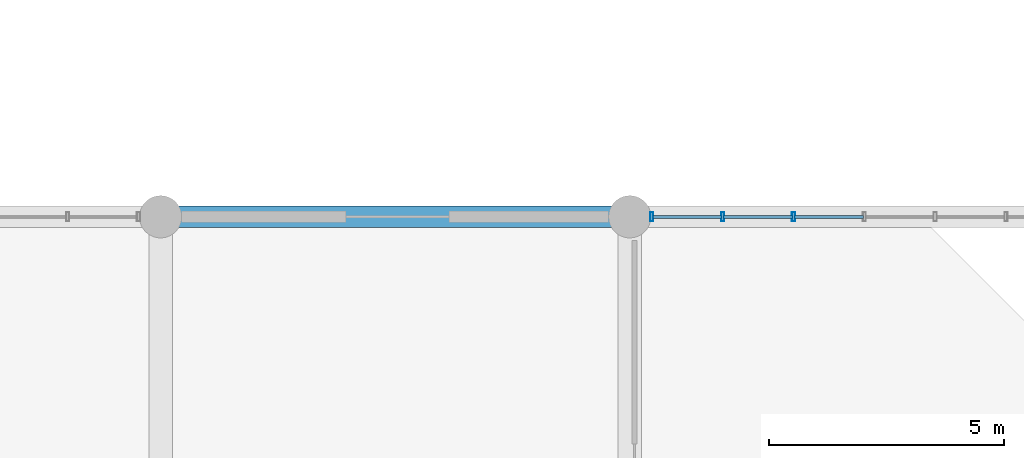
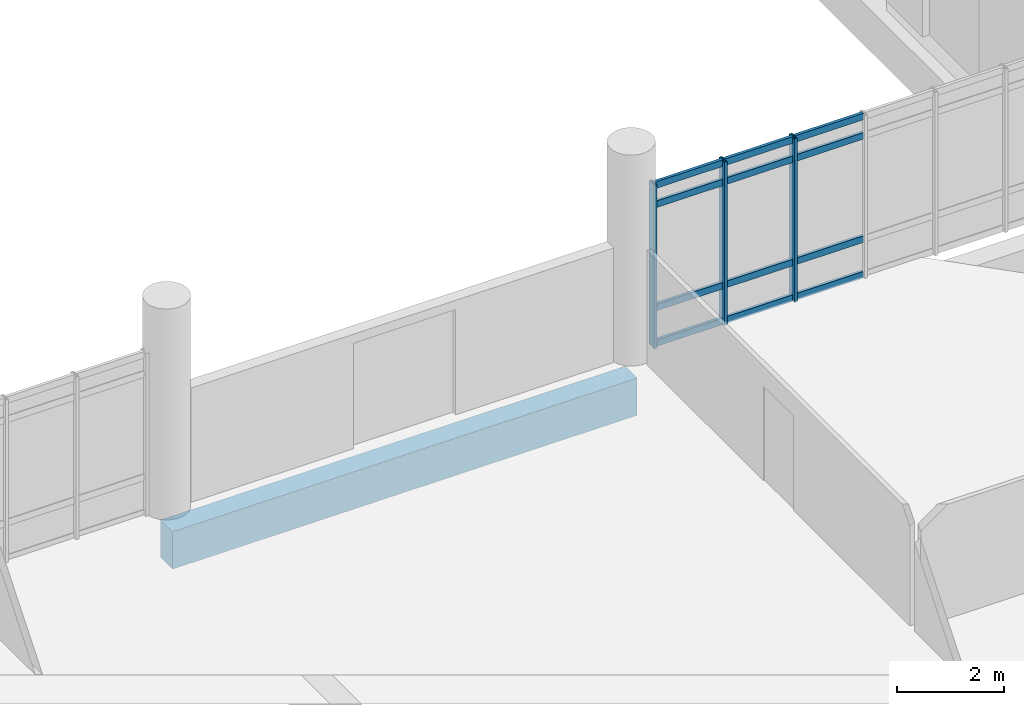
# One storey, part 30 of 87: 15 members, 1 beam, 1 element without a shape of its own.
"""IFC4 building model written with IfcOpenShell, lengths in metres."""

from ifc_helpers import new_model, si_unit, direction, frame, origin, origin_2d, place, context, subcontext, project, spatial, rectangle, hollow_rectangle, extrude, material, layer, layer_set, material_profile, profile_set, type_object, element, aggregate, save


model = new_model("IFC4")

# Units and contexts
model_context = context("Model", 3, precision=1e-05, world=origin(), true_north=direction((0.0, 1.0)))
body_context = subcontext(model_context, "Body", "Model", "MODEL_VIEW")
ifc_project = project(units=[si_unit("LENGTHUNIT", "METRE"), si_unit("AREAUNIT", "SQUARE_METRE"), si_unit("VOLUMEUNIT", "CUBIC_METRE"), si_unit("PLANEANGLEUNIT", "RADIAN"), si_unit("MASSUNIT", "GRAM", prefix="KILO")], contexts=[model_context])

# Site, building, storey
site_placement = place(None, origin())
site = spatial("IfcSite", under=ifc_project, at=site_placement, CompositionType="ELEMENT")
building_placement = place(site_placement, origin())
building = spatial("IfcBuilding", under=site, at=building_placement, Name="Mersad Railyard Sports Hall", CompositionType="ELEMENT")
storey_placement = place(building_placement, origin())
storey = spatial("IfcBuildingStorey", under=building, at=storey_placement, Name="L00", CompositionType="ELEMENT", Elevation=0.0)

# Curtain wall, members
ifc_material_1 = material(Name="Aluminium 6063-T6", Category="aluminium")
ifc_layer = layer(ifc_material_1, 0.199951171875)
ifc_layer_set = layer_set([ifc_layer], Name="Aluminium 6063-T6")
curtain_wall_type = type_object("IfcCurtainWallType", Name="ARC-CW-CW07", PredefinedType="USERDEFINED", material=ifc_layer_set)
curtain_wall_placement = place(storey_placement, origin())
curtain_wall = element("IfcCurtainWall", 1, at=curtain_wall_placement, inside=storey, type_object=curtain_wall_type, Name="Curtain wall CW07-0035", ObjectType="CURTAIN WALL", PredefinedType="USERDEFINED")
ifc_material_profile_1 = material_profile(ifc_material_1, hollow_rectangle(XDim=0.06494140625, YDim=0.199951171875, WallThickness=0.0048828125, at=origin_2d()), Name="AL MULLION 65x200x5")
ifc_profile_set_1 = profile_set([ifc_material_profile_1], Name="Aluminium 6063-T6")
member_type_1 = type_object("IfcMemberType", Name="ARC-CW-MUL02", PredefinedType="MULLION", material=ifc_profile_set_1)
member_1_placement = place(storey_placement, frame((121.469970703125, 43.5, -0.02001953125), z_axis=(0.0, 0.0, 1.0), x_axis=(1.0, 0.0, 0.0)))
member_1 = element("IfcMember", 2, at=member_1_placement, type_object=member_type_1, Name="CW07 Mullion 1", PredefinedType="MULLION", context=body_context, shape_type="SweptSolid", body=[
    extrude(hollow_rectangle(XDim=0.06494140625, YDim=0.199951171875, WallThickness=0.0048828125, at=origin_2d()), origin(), (0.0, 0.0, 1.0), 3.719970703125),
])
member_2_placement = place(storey_placement, frame((122.97998046875, 43.5, -0.02001953125), z_axis=(0.0, 0.0, 1.0), x_axis=(1.0, 0.0, 0.0)))
member_2 = element("IfcMember", 3, at=member_2_placement, type_object=member_type_1, Name="CW07 Mullion 2", PredefinedType="MULLION", context=body_context, shape_type="SweptSolid", body=[
    extrude(hollow_rectangle(XDim=0.06494140625, YDim=0.199951171875, WallThickness=0.0048828125, at=origin_2d()), origin(), (0.0, 0.0, 1.0), 3.719970703125),
])
member_3_placement = place(storey_placement, frame((124.489990234375, 43.5, -0.02001953125), z_axis=(0.0, 0.0, 1.0), x_axis=(1.0, 0.0, 0.0)))
member_3 = element("IfcMember", 4, at=member_3_placement, type_object=member_type_1, Name="CW07 Mullion 3", PredefinedType="MULLION", context=body_context, shape_type="SweptSolid", body=[
    extrude(hollow_rectangle(XDim=0.06494140625, YDim=0.199951171875, WallThickness=0.0048828125, at=origin_2d()), origin(), (0.0, 0.0, 1.0), 3.719970703125),
])
ifc_material_profile_2 = material_profile(ifc_material_1, hollow_rectangle(XDim=0.06494140625, YDim=0.14990234375, WallThickness=0.00439453125, at=origin_2d()), Name="AL TRANSOM 65x150x4.5")
ifc_profile_set_2 = profile_set([ifc_material_profile_2], Name="Aluminium 6063-T6")
member_type_2 = type_object("IfcMemberType", Name="ARC-CW-TRN02", PredefinedType="USERDEFINED", material=ifc_profile_set_2)
member_4_placement = place(storey_placement, frame((121.489990234375, 43.5, 0.0400390625), z_axis=(1.0, 0.0, 0.0), x_axis=(0.0, 1.0, 0.0)))
member_4 = element("IfcMember", 5, at=member_4_placement, type_object=member_type_2, Name="CW07 Transom 1-1", ObjectType="TRANSOM", PredefinedType="USERDEFINED", context=body_context, shape_type="SweptSolid", body=[
    extrude(hollow_rectangle(XDim=0.06494140625, YDim=0.14990234375, WallThickness=0.00439453125, at=origin_2d()), origin(), (0.0, 0.0, 1.0), 1.469970703125),
])
member_5_placement = place(storey_placement, frame((123.0, 43.5, 0.0400390625), z_axis=(1.0, 0.0, 0.0), x_axis=(0.0, 1.0, 0.0)))
member_5 = element("IfcMember", 6, at=member_5_placement, type_object=member_type_2, Name="CW07 Transom 1-2", ObjectType="TRANSOM", PredefinedType="USERDEFINED", context=body_context, shape_type="SweptSolid", body=[
    extrude(hollow_rectangle(XDim=0.06494140625, YDim=0.14990234375, WallThickness=0.00439453125, at=origin_2d()), origin(), (0.0, 0.0, 1.0), 1.469970703125),
])
member_6_placement = place(storey_placement, frame((124.510009765625, 43.5, 0.0400390625), z_axis=(1.0, 0.0, 0.0), x_axis=(0.0, 1.0, 0.0)))
member_6 = element("IfcMember", 7, at=member_6_placement, type_object=member_type_2, Name="CW07 Transom 1-3", ObjectType="TRANSOM", PredefinedType="USERDEFINED", context=body_context, shape_type="SweptSolid", body=[
    extrude(hollow_rectangle(XDim=0.06494140625, YDim=0.14990234375, WallThickness=0.00439453125, at=origin_2d()), origin(), (0.0, 0.0, 1.0), 1.469970703125),
])
member_7_placement = place(storey_placement, frame((121.489990234375, 43.5, 0.85009765625), z_axis=(1.0, 0.0, 0.0), x_axis=(0.0, 1.0, 0.0)))
member_7 = element("IfcMember", 8, at=member_7_placement, type_object=member_type_2, Name="CW07 Transom 2-1", ObjectType="TRANSOM", PredefinedType="USERDEFINED", context=body_context, shape_type="SweptSolid", body=[
    extrude(hollow_rectangle(XDim=0.06494140625, YDim=0.14990234375, WallThickness=0.00439453125, at=origin_2d()), origin(), (0.0, 0.0, 1.0), 1.469970703125),
])
member_8_placement = place(storey_placement, frame((123.0, 43.5, 0.85009765625), z_axis=(1.0, 0.0, 0.0), x_axis=(0.0, 1.0, 0.0)))
member_8 = element("IfcMember", 9, at=member_8_placement, type_object=member_type_2, Name="CW07 Transom 2-2", ObjectType="TRANSOM", PredefinedType="USERDEFINED", context=body_context, shape_type="SweptSolid", body=[
    extrude(hollow_rectangle(XDim=0.06494140625, YDim=0.14990234375, WallThickness=0.00439453125, at=origin_2d()), origin(), (0.0, 0.0, 1.0), 1.469970703125),
])
member_9_placement = place(storey_placement, frame((124.510009765625, 43.5, 0.85009765625), z_axis=(1.0, 0.0, 0.0), x_axis=(0.0, 1.0, 0.0)))
member_9 = element("IfcMember", 10, at=member_9_placement, type_object=member_type_2, Name="CW07 Transom 2-3", ObjectType="TRANSOM", PredefinedType="USERDEFINED", context=body_context, shape_type="SweptSolid", body=[
    extrude(hollow_rectangle(XDim=0.06494140625, YDim=0.14990234375, WallThickness=0.00439453125, at=origin_2d()), origin(), (0.0, 0.0, 1.0), 1.469970703125),
])
member_10_placement = place(storey_placement, frame((121.489990234375, 43.5, 3.199951171875), z_axis=(1.0, 0.0, 0.0), x_axis=(0.0, 1.0, 0.0)))
member_10 = element("IfcMember", 11, at=member_10_placement, type_object=member_type_2, Name="CW07 Transom 3-1", ObjectType="TRANSOM", PredefinedType="USERDEFINED", context=body_context, shape_type="SweptSolid", body=[
    extrude(hollow_rectangle(XDim=0.06494140625, YDim=0.14990234375, WallThickness=0.00439453125, at=origin_2d()), origin(), (0.0, 0.0, 1.0), 1.469970703125),
])
member_11_placement = place(storey_placement, frame((123.0, 43.5, 3.199951171875), z_axis=(1.0, 0.0, 0.0), x_axis=(0.0, 1.0, 0.0)))
member_11 = element("IfcMember", 12, at=member_11_placement, type_object=member_type_2, Name="CW07 Transom 3-2", ObjectType="TRANSOM", PredefinedType="USERDEFINED", context=body_context, shape_type="SweptSolid", body=[
    extrude(hollow_rectangle(XDim=0.06494140625, YDim=0.14990234375, WallThickness=0.00439453125, at=origin_2d()), origin(), (0.0, 0.0, 1.0), 1.469970703125),
])
member_12_placement = place(storey_placement, frame((124.510009765625, 43.5, 3.199951171875), z_axis=(1.0, 0.0, 0.0), x_axis=(0.0, 1.0, 0.0)))
member_12 = element("IfcMember", 13, at=member_12_placement, type_object=member_type_2, Name="CW07 Transom 3-3", ObjectType="TRANSOM", PredefinedType="USERDEFINED", context=body_context, shape_type="SweptSolid", body=[
    extrude(hollow_rectangle(XDim=0.06494140625, YDim=0.14990234375, WallThickness=0.00439453125, at=origin_2d()), origin(), (0.0, 0.0, 1.0), 1.469970703125),
])
member_13_placement = place(storey_placement, frame((121.489990234375, 43.5, 3.639892578125), z_axis=(1.0, 0.0, 0.0), x_axis=(0.0, 1.0, 0.0)))
member_13 = element("IfcMember", 14, at=member_13_placement, type_object=member_type_2, Name="CW07 Transom 4-1", ObjectType="TRANSOM", PredefinedType="USERDEFINED", context=body_context, shape_type="SweptSolid", body=[
    extrude(hollow_rectangle(XDim=0.06494140625, YDim=0.14990234375, WallThickness=0.00439453125, at=origin_2d()), origin(), (0.0, 0.0, 1.0), 1.469970703125),
])
member_14_placement = place(storey_placement, frame((123.0, 43.5, 3.639892578125), z_axis=(1.0, 0.0, 0.0), x_axis=(0.0, 1.0, 0.0)))
member_14 = element("IfcMember", 15, at=member_14_placement, type_object=member_type_2, Name="CW07 Transom 4-2", ObjectType="TRANSOM", PredefinedType="USERDEFINED", context=body_context, shape_type="SweptSolid", body=[
    extrude(hollow_rectangle(XDim=0.06494140625, YDim=0.14990234375, WallThickness=0.00439453125, at=origin_2d()), origin(), (0.0, 0.0, 1.0), 1.469970703125),
])
member_15_placement = place(storey_placement, frame((124.510009765625, 43.5, 3.639892578125), z_axis=(1.0, 0.0, 0.0), x_axis=(0.0, 1.0, 0.0)))
member_15 = element("IfcMember", 16, at=member_15_placement, type_object=member_type_2, Name="CW07 Transom 4-3", ObjectType="TRANSOM", PredefinedType="USERDEFINED", context=body_context, shape_type="SweptSolid", body=[
    extrude(hollow_rectangle(XDim=0.06494140625, YDim=0.14990234375, WallThickness=0.00439453125, at=origin_2d()), origin(), (0.0, 0.0, 1.0), 1.469970703125),
])
aggregate(curtain_wall, [member_1, member_2, member_3, member_4, member_5, member_6, member_7, member_8, member_9, member_10, member_11, member_12, member_13, member_14, member_15])

# Beam
ifc_material_2 = material(Name="Concrete C40/50", Category="concrete")
ifc_material_profile_3 = material_profile(ifc_material_2, rectangle(XDim=0.449951171875, YDim=0.85009765625, at=origin_2d()), Name="RC 450x850")
ifc_profile_set_3 = profile_set([ifc_material_profile_3], Name="Concrete C40/50")
beam_type = type_object("IfcBeamType", Name="STR-BM-B02", PredefinedType="BEAM", material=ifc_profile_set_3)
beam_placement = place(storey_placement, frame((111.0, 43.5, -0.875), z_axis=(1.0, 0.0, 0.0), x_axis=(0.0, 1.0, 0.0)))
element("IfcBeam", 17, at=beam_placement, inside=storey, type_object=beam_type, Name="Beam B02-0063", PredefinedType="BEAM", context=body_context, shape_type="SweptSolid", body=[
    extrude(rectangle(XDim=0.449951171875, YDim=0.85009765625, at=origin_2d()), origin(), (0.0, 0.0, 1.0), 10.0),
])

save(model, "model.ifc")
